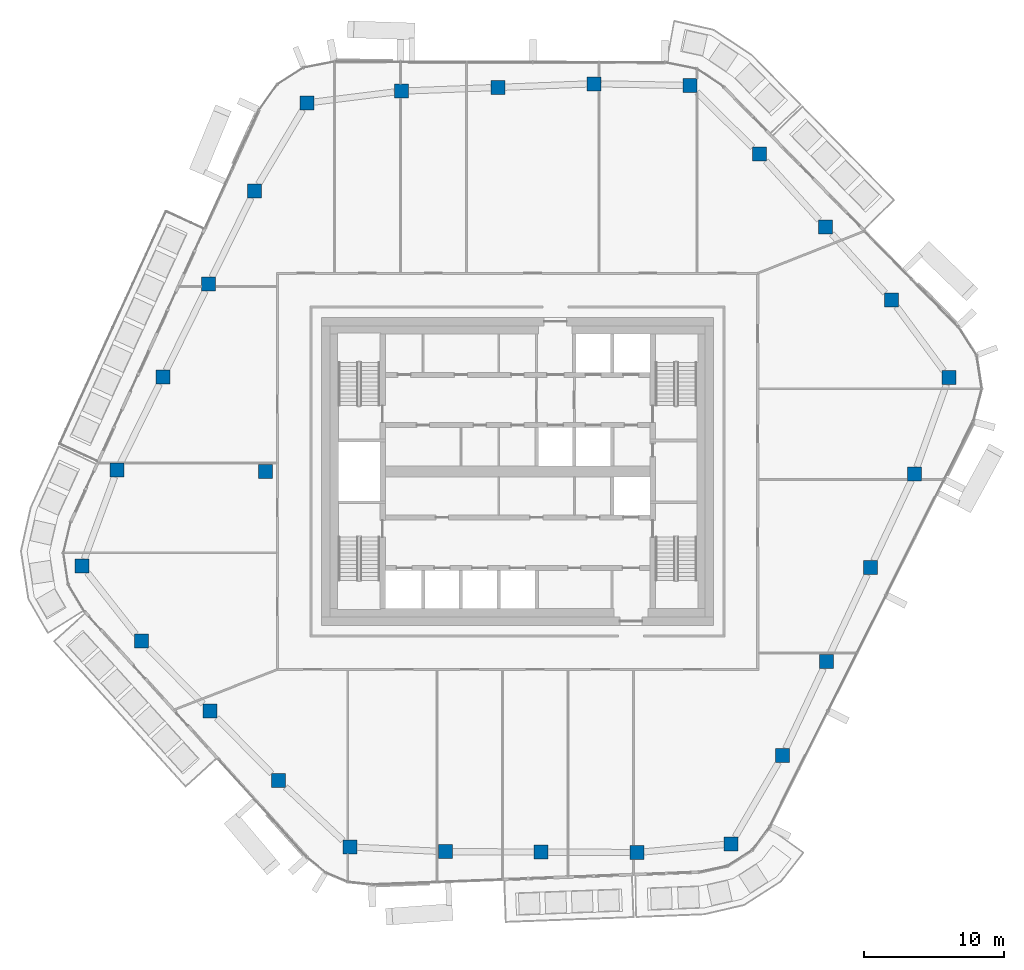
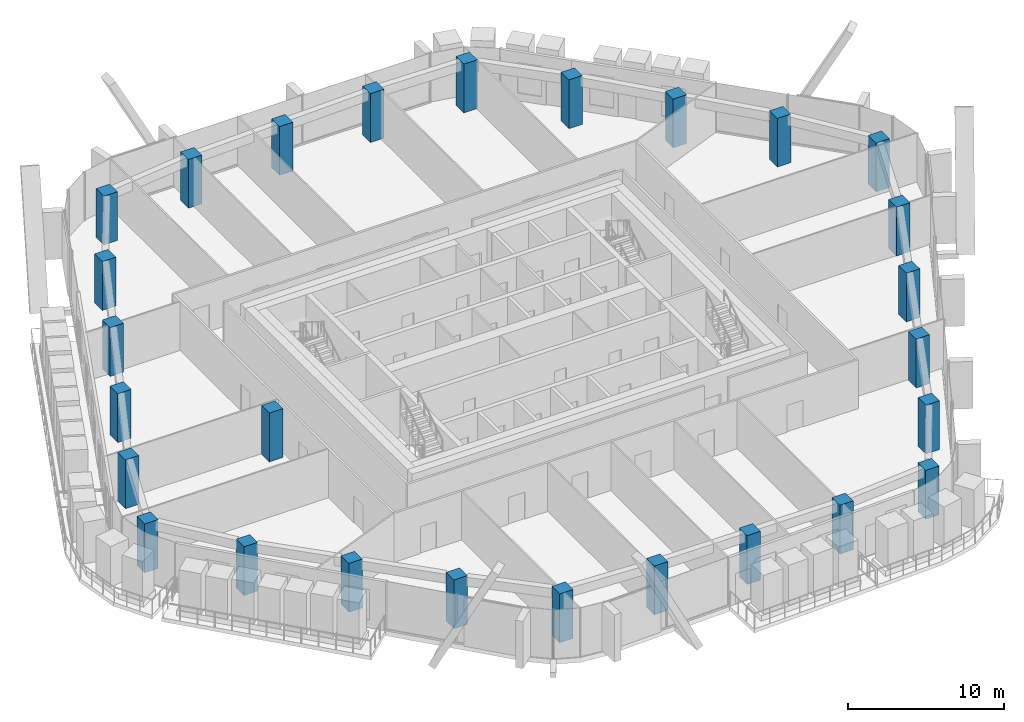
# One storey, part 1 of 24: 27 columns.
"""IFC4 building model written with IfcOpenShell, lengths in metres."""

from ifc_helpers import new_model, si_unit, direction, frame, origin, origin_2d, place, context, subcontext, project, spatial, rectangle, extrude, material, material_profile, profile_set, type_object, element, save


model = new_model("IFC4")

# Units and contexts
model_context = context("Model", 3, precision=1e-05, world=origin(), true_north=direction((0.0, 1.0)))
body_context = subcontext(model_context, "Body", "Model", "MODEL_VIEW")
ifc_project = project(units=[si_unit("LENGTHUNIT", "METRE"), si_unit("AREAUNIT", "SQUARE_METRE"), si_unit("VOLUMEUNIT", "CUBIC_METRE"), si_unit("PLANEANGLEUNIT", "RADIAN"), si_unit("MASSUNIT", "GRAM", prefix="KILO")], contexts=[model_context])

# Site, building, storey
site_placement = place(None, origin())
site = spatial("IfcSite", under=ifc_project, at=site_placement, CompositionType="ELEMENT")
building_placement = place(site_placement, origin())
building = spatial("IfcBuilding", under=site, at=building_placement, Name="Dongbaek Canopy Tower", CompositionType="ELEMENT")
storey_placement = place(building_placement, frame((0.0, 0.0, 311.0)))
storey = spatial("IfcBuildingStorey", under=building, at=storey_placement, Name="L66", CompositionType="ELEMENT", Elevation=311.0)

# Columns
ifc_material = material(Name="Concrete C60", Category="concrete")
ifc_material_profile = material_profile(ifc_material, rectangle(XDim=1.0, YDim=1.0, at=origin_2d()), Name="RC COLUMN 1000x1000 C60")
ifc_profile_set = profile_set([ifc_material_profile], Name="Concrete C60")
column_type = type_object("IfcColumnType", Name="RC COLUMN 1000x1000 C60", PredefinedType="COLUMN", material=ifc_profile_set)
for number, where, z_axis, x_axis, name in (
    (1, (15.251953125, -26.60693359375, 0.0), (0.0, 0.0, 1.0), (1.0, 0.0, 0.0), "COL:CZ5-01:L66"),
    (2, (8.533935546875, -27.22705078125, 0.0), (0.0, 0.0, 1.0), (1.0, 0.0, 0.0), "COL:CZ5-02:L66"),
    (3, (1.68310546875, -27.197021484375, 0.0), (0.0, 0.0, 1.0), (1.0, 0.0, 0.0), "COL:CZ5-03:L66"),
    (4, (-5.166015625, -27.1669921875, 0.0), (0.0, 0.0, 1.0), (1.0, 0.0, 0.0), "COL:CZ5-04:L66"),
    (5, (-11.985107421875, -26.8310546875, 0.0), (0.0, 0.0, 1.0), (1.0, 0.0, 0.0), "COL:CZ5-05:L66"),
    (6, (-17.083984375, -22.089111328125, 0.0), (0.0, 0.0, 1.0), (1.0, 0.0, 0.0), "COL:CZ5-06:L66"),
    (7, (-21.986083984375, -17.112060546875, 0.0), (0.0, 0.0, 1.0), (1.0, 0.0, 0.0), "COL:CZ5-07:L66"),
    (8, (-26.888916015625, -12.134033203125, 0.0), (0.0, 0.0, 1.0), (1.0, 0.0, 0.0), "COL:CZ5-08:L66"),
    (9, (-31.12890625, -6.7451171875, 0.0), (0.0, 0.0, 1.0), (1.0, 0.0, 0.0), "COL:CZ5-09:L66"),
    (10, (-28.616943359375, 0.0859375, 0.0), (0.0, 0.0, 1.0), (1.0, 0.0, 0.0), "COL:CZ5-10:L66"),
    (11, (-25.346923828125, 6.735107421875, 0.0), (0.0, 0.0, 1.0), (1.0, 0.0, 0.0), "COL:CZ5-11:L66"),
    (12, (-22.075927734375, 13.384033203125, 0.0), (0.0, 0.0, 1.0), (1.0, 0.0, 0.0), "COL:CZ5-12:L66"),
    (13, (-18.805908203125, 20.031982421875, 0.0), (0.0, 0.0, 1.0), (1.0, 0.0, 0.0), "COL:CZ5-13:L66"),
    (14, (-15.06201171875, 26.321044921875, 0.0), (0.0, 0.0, 1.0), (1.0, 0.0, 0.0), "COL:CZ5-14:L66"),
    (15, (-8.30908203125, 27.1640625, 0.0), (0.0, 0.0, 1.0), (1.0, 0.0, 0.0), "COL:CZ5-15:L66"),
    (16, (-1.41796875, 27.427978515625, 0.0), (0.0, 0.0, 1.0), (1.0, 0.0, 0.0), "COL:CZ5-16:L66"),
    (17, (5.470947265625, 27.69189453125, 0.0), (0.0, 0.0, 1.0), (1.0, 0.0, 0.0), "COL:CZ5-17:L66"),
    (18, (12.31396484375, 27.56298828125, 0.0), (0.0, 0.0, 1.0), (1.0, 0.0, 0.0), "COL:CZ5-18:L66"),
    (19, (17.27587890625, 22.666015625, 0.0), (0.0, 0.0, 1.0), (1.0, 0.0, 0.0), "COL:CZ5-19:L66"),
    (20, (21.989990234375, 17.4619140625, 0.0), (0.0, 0.0, 1.0), (1.0, 0.0, 0.0), "COL:CZ5-20:L66"),
    (21, (26.702880859375, 12.257080078125, 0.0), (0.0, 0.0, 1.0), (1.0, 0.0, 0.0), "COL:CZ5-21:L66"),
    (22, (30.804931640625, 6.697998046875, 0.0), (0.0, 0.0, 1.0), (1.0, 0.0, 0.0), "COL:CZ5-22:L66"),
    (23, (28.35107421875, -0.169921875, 0.0), (0.0, 0.0, 1.0), (1.0, 0.0, 0.0), "COL:CZ5-23:L66"),
    (24, (25.2099609375, -6.87890625, 0.0), (0.0, 0.0, 1.0), (1.0, 0.0, 0.0), "COL:CZ5-24:L66"),
    (25, (22.068115234375, -13.587890625, 0.0), (0.0, 0.0, 1.0), (1.0, 0.0, 0.0), "COL:CZ5-25:L66"),
    (26, (18.925048828125, -20.2958984375, 0.0), (0.0, 0.0, 1.0), (1.0, 0.0, 0.0), "COL:CZ5-26:L66"),
    (27, (-18.0, 0.0, 0.0), (0.0, 0.0, 1.0), (1.0, 0.0, 0.0), "COL:CIZ5-01:L66"),
):
    element("IfcColumn", number, at=place(storey_placement, frame(where, z_axis=z_axis, x_axis=x_axis)), inside=storey, type_object=column_type, Name=name, PredefinedType="COLUMN", context=body_context, shape_type="SweptSolid", body=[
        extrude(rectangle(XDim=1.0, YDim=1.0, at=origin_2d()), origin(), (0.0, 0.0, 1.0), 3.820068359375),
    ])

save(model, "model.ifc")
